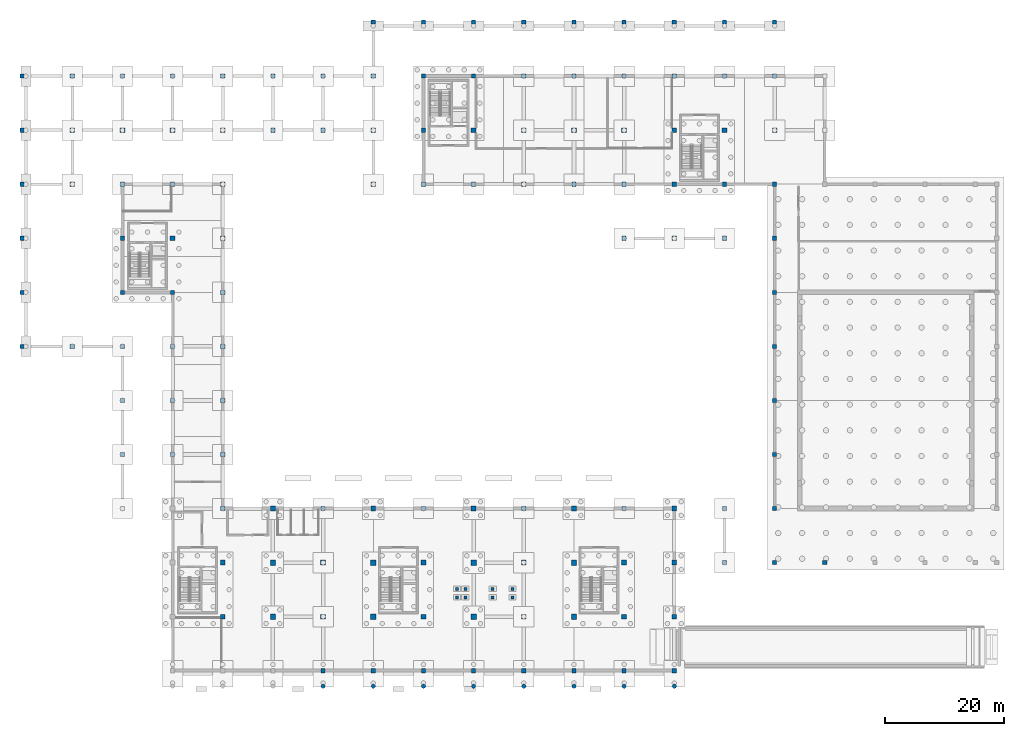
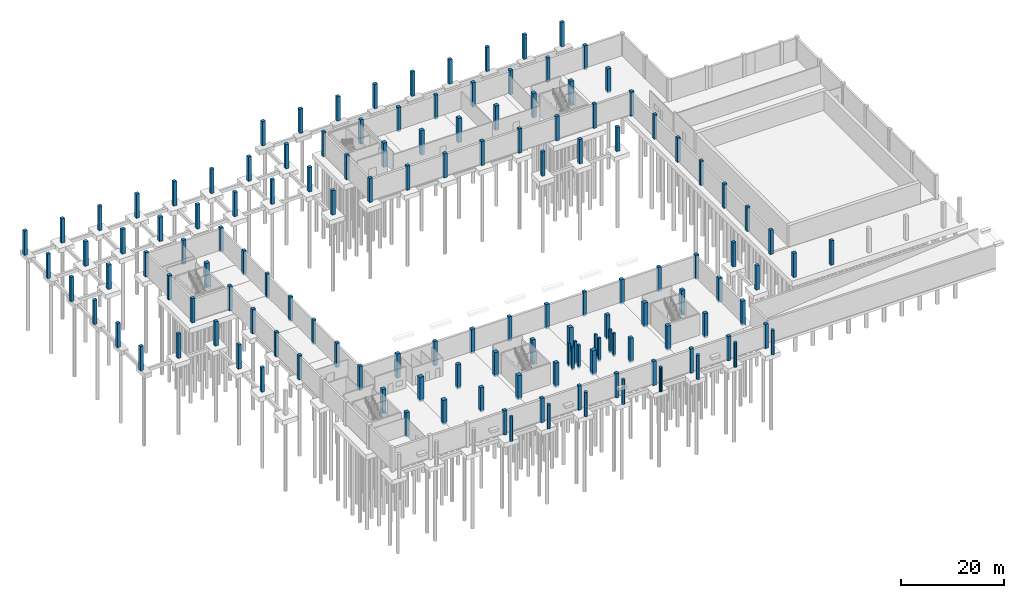
# One storey, part 5 of 18: 141 columns.
"""IFC4 building model written with IfcOpenShell, lengths in metres."""

from ifc_helpers import new_model, si_unit, direction, frame, origin, origin_2d, place, context, subcontext, project, spatial, rectangle, circle, extrude, material, material_profile, profile_set, type_object, element, save


model = new_model("IFC4")

# Units and contexts
model_context = context("Model", 3, precision=1e-05, world=origin(), true_north=direction((0.0, 1.0)))
body_context = subcontext(model_context, "Body", "Model", "MODEL_VIEW")
ifc_project = project(units=[si_unit("LENGTHUNIT", "METRE"), si_unit("AREAUNIT", "SQUARE_METRE"), si_unit("VOLUMEUNIT", "CUBIC_METRE"), si_unit("PLANEANGLEUNIT", "RADIAN"), si_unit("MASSUNIT", "GRAM", prefix="KILO")], contexts=[model_context])

# Site, building, storey
site_placement = place(None, origin())
site = spatial("IfcSite", under=ifc_project, at=site_placement, CompositionType="ELEMENT")
building_placement = place(site_placement, origin())
building = spatial("IfcBuilding", under=site, at=building_placement, Name="Khurvash Pelagic Aquarium", CompositionType="ELEMENT")
storey_placement = place(building_placement, frame((0.0, 0.0, -5.39990234375)))
storey = spatial("IfcBuildingStorey", under=building, at=storey_placement, Name="B1", CompositionType="ELEMENT", Elevation=-5.39990234375)

# Columns
ifc_material_1 = material(Name="Concrete C40/50", Category="concrete")
ifc_material_profile_1 = material_profile(ifc_material_1, rectangle(XDim=0.89990234375, YDim=0.89990234375, at=origin_2d()), Name="RC900X900")
ifc_profile_set_1 = profile_set([ifc_material_profile_1], Name="Concrete C40/50")
column_type_1 = type_object("IfcColumnType", Name="C-01", PredefinedType="COLUMN", material=ifc_profile_set_1)
for number, where, z_axis, x_axis, name in (
    (1, (42.0, 11.64990234375, -0.400146484375), (0.0, 0.0, 1.0), (1.0, 0.0, 0.0), "B1 Column C-01 at 6/C"),
    (2, (42.0, 20.699951171875, -0.400146484375), (0.0, 0.0, 1.0), (1.0, 0.0, 0.0), "B1 Column C-01 at 6/D"),
    (3, (58.800048828125, 11.64990234375, -0.400146484375), (0.0, 0.0, 1.0), (1.0, 0.0, 0.0), "B1 Column C-01 at 8/C"),
    (4, (58.800048828125, 20.699951171875, -0.400146484375), (0.0, 0.0, 1.0), (1.0, 0.0, 0.0), "B1 Column C-01 at 8/D"),
    (5, (75.60009765625, 11.64990234375, -0.400146484375), (0.0, 0.0, 1.0), (1.0, 0.0, 0.0), "B1 Column C-01 at 10/C"),
    (6, (75.60009765625, 20.699951171875, -0.400146484375), (0.0, 0.0, 1.0), (1.0, 0.0, 0.0), "B1 Column C-01 at 10/D"),
    (7, (92.39990234375, 11.64990234375, -0.400146484375), (0.0, 0.0, 1.0), (1.0, 0.0, 0.0), "B1 Column C-01 at 12/C"),
    (8, (92.39990234375, 20.699951171875, -0.400146484375), (0.0, 0.0, 1.0), (1.0, 0.0, 0.0), "B1 Column C-01 at 12/D"),
):
    element("IfcColumn", number, at=place(storey_placement, frame(where, z_axis=z_axis, x_axis=x_axis)), inside=storey, type_object=column_type_1, Name=name, PredefinedType="COLUMN", context=body_context, shape_type="SweptSolid", body=[
        extrude(rectangle(XDim=0.89990234375, YDim=0.89990234375, at=origin_2d()), origin(), (0.0, 0.0, 1.0), 5.800048828125),
    ])
ifc_material_profile_2 = material_profile(ifc_material_1, rectangle(XDim=0.800048828125, YDim=0.800048828125, at=origin_2d()), Name="RC800X800")
ifc_profile_set_2 = profile_set([ifc_material_profile_2], Name="Concrete C40/50")
column_type_2 = type_object("IfcColumnType", Name="C-02", PredefinedType="COLUMN", material=ifc_profile_set_2)
for number, where, z_axis, x_axis, name in (
    (9, (25.199951171875, 75.0, -0.400146484375), (0.0, 0.0, 1.0), (1.0, 0.0, 0.0), "B1 Column C-02 at 4/K"),
    (10, (33.60009765625, 11.64990234375, -0.400146484375), (0.0, 0.0, 1.0), (1.0, 0.0, 0.0), "B1 Column C-02 at 5/C"),
    (11, (33.60009765625, 20.699951171875, -0.400146484375), (0.0, 0.0, 1.0), (1.0, 0.0, 0.0), "B1 Column C-02 at 5/D"),
    (12, (50.39990234375, 11.64990234375, -0.400146484375), (0.0, 0.0, 1.0), (1.0, 0.0, 0.0), "B1 Column C-02 at 7/C"),
    (13, (50.39990234375, 20.699951171875, -0.400146484375), (0.0, 0.0, 1.0), (1.0, 0.0, 0.0), "B1 Column C-02 at 7/D"),
    (14, (67.199951171875, 11.64990234375, -0.400146484375), (0.0, 0.0, 1.0), (1.0, 0.0, 0.0), "B1 Column C-02 at 9/C"),
    (15, (67.199951171875, 20.699951171875, -0.400146484375), (0.0, 0.0, 1.0), (1.0, 0.0, 0.0), "B1 Column C-02 at 9/D"),
    (16, (75.60009765625, 93.10009765625, -0.400146484375), (0.0, 0.0, 1.0), (1.0, 0.0, 0.0), "B1 Column C-02 at 10/M"),
    (17, (84.0, 11.64990234375, -0.400146484375), (0.0, 0.0, 1.0), (1.0, 0.0, 0.0), "B1 Column C-02 at 11/C"),
    (18, (84.0, 20.699951171875, -0.400146484375), (0.0, 0.0, 1.0), (1.0, 0.0, 0.0), "B1 Column C-02 at 11/D"),
    (19, (84.0, 93.10009765625, -0.400146484375), (0.0, 0.0, 1.0), (1.0, 0.0, 0.0), "B1 Column C-02 at 11/M"),
    (20, (92.39990234375, 93.10009765625, -0.400146484375), (0.0, 0.0, 1.0), (1.0, 0.0, 0.0), "B1 Column C-02 at 12/M"),
    (21, (100.800048828125, 11.64990234375, -0.400146484375), (0.0, 0.0, 1.0), (1.0, 0.0, 0.0), "B1 Column C-02 at 13/C"),
    (22, (100.800048828125, 20.699951171875, -0.400146484375), (0.0, 0.0, 1.0), (1.0, 0.0, 0.0), "B1 Column C-02 at 13/D"),
    (23, (100.800048828125, 93.10009765625, -0.400146484375), (0.0, 0.0, 1.0), (1.0, 0.0, 0.0), "B1 Column C-02 at 13/M"),
    (24, (109.199951171875, 93.10009765625, -0.400146484375), (0.0, 0.0, 1.0), (1.0, 0.0, 0.0), "B1 Column C-02 at 14/M"),
    (25, (117.60009765625, 93.10009765625, -0.400146484375), (0.0, 0.0, 1.0), (1.0, 0.0, 0.0), "B1 Column C-02 at 15/M"),
    (26, (126.0, 93.10009765625, -0.400146484375), (0.0, 0.0, 1.0), (1.0, 0.0, 0.0), "B1 Column C-02 at 16/M"),
    (27, (8.39990234375, 84.050048828125, -0.400146484375), (0.0, 0.0, 1.0), (1.0, 0.0, 0.0), "B1 Sub-Grade Pier Column C-02 at 2/L"),
    (28, (8.39990234375, 93.10009765625, -0.400146484375), (0.0, 0.0, 1.0), (1.0, 0.0, 0.0), "B1 Sub-Grade Pier Column C-02 at 2/M"),
    (29, (16.800048828125, 93.10009765625, -0.400146484375), (0.0, 0.0, 1.0), (1.0, 0.0, 0.0), "B1 Sub-Grade Pier Column C-02 at 3/M"),
    (30, (25.199951171875, 93.10009765625, -0.400146484375), (0.0, 0.0, 1.0), (1.0, 0.0, 0.0), "B1 Sub-Grade Pier Column C-02 at 4/M"),
):
    element("IfcColumn", number, at=place(storey_placement, frame(where, z_axis=z_axis, x_axis=x_axis)), inside=storey, type_object=column_type_2, Name=name, PredefinedType="COLUMN", context=body_context, shape_type="SweptSolid", body=[
        extrude(rectangle(XDim=0.800048828125, YDim=0.800048828125, at=origin_2d()), origin(), (0.0, 0.0, 1.0), 5.800048828125),
    ])
ifc_material_2 = material(Name="Concrete C35/45", Category="concrete")
ifc_material_profile_3 = material_profile(ifc_material_2, rectangle(XDim=0.5, YDim=0.5, at=origin_2d()), Name="RC500X500")
ifc_profile_set_3 = profile_set([ifc_material_profile_3], Name="Concrete C35/45")
column_type_3 = type_object("IfcColumnType", Name="C-05", PredefinedType="COLUMN", material=ifc_profile_set_3)
for number, where, z_axis, x_axis, name in (
    (31, (72.800048828125, 14.89990234375, -0.400146484375), (0.0, 0.0, 1.0), (1.0, 0.0, 0.0), "B1 Foyer Stair Support Column C-05"),
    (32, (72.800048828125, 16.300048828125, -0.400146484375), (0.0, 0.0, 1.0), (1.0, 0.0, 0.0), "B1 Foyer Stair Support Column C-05"),
    (33, (74.199951171875, 14.89990234375, -0.400146484375), (0.0, 0.0, 1.0), (1.0, 0.0, 0.0), "B1 Foyer Stair Support Column C-05"),
    (34, (74.199951171875, 16.300048828125, -0.400146484375), (0.0, 0.0, 1.0), (1.0, 0.0, 0.0), "B1 Foyer Stair Support Column C-05"),
    (35, (78.800048828125, 14.89990234375, -0.400146484375), (0.0, 0.0, 1.0), (1.0, 0.0, 0.0), "B1 Foyer Stair Support Column C-05"),
    (36, (78.800048828125, 16.300048828125, -0.400146484375), (0.0, 0.0, 1.0), (1.0, 0.0, 0.0), "B1 Foyer Stair Support Column C-05"),
    (37, (82.10009765625, 14.89990234375, -0.400146484375), (0.0, 0.0, 1.0), (1.0, 0.0, 0.0), "B1 Foyer Stair Support Column C-05"),
    (38, (82.10009765625, 16.300048828125, -0.400146484375), (0.0, 0.0, 1.0), (1.0, 0.0, 0.0), "B1 Foyer Stair Support Column C-05"),
):
    element("IfcColumn", number, at=place(storey_placement, frame(where, z_axis=z_axis, x_axis=x_axis)), inside=storey, type_object=column_type_3, Name=name, PredefinedType="COLUMN", context=body_context, shape_type="SweptSolid", body=[
        extrude(rectangle(XDim=0.5, YDim=0.5, at=origin_2d()), origin(), (0.0, 0.0, 1.0), 5.5),
    ])
ifc_material_profile_4 = material_profile(ifc_material_1, rectangle(XDim=0.800048828125, YDim=0.800048828125, at=origin_2d()), Name="RC800X800")
ifc_profile_set_4 = profile_set([ifc_material_profile_4], Name="Concrete C40/50")
column_type_4 = type_object("IfcColumnType", Name="C-06", PredefinedType="COLUMN", material=ifc_profile_set_4)
for number, where, z_axis, x_axis, name in (
    (39, (42.0, 29.75, -0.400146484375), (0.0, 0.0, 1.0), (1.0, 0.0, 0.0), "B1 Column C-06 at 6/E"),
    (40, (58.800048828125, 29.75, -0.400146484375), (0.0, 0.0, 1.0), (1.0, 0.0, 0.0), "B1 Column C-06 at 8/E"),
    (41, (75.60009765625, 29.75, -0.400146484375), (0.0, 0.0, 1.0), (1.0, 0.0, 0.0), "B1 Column C-06 at 10/E"),
    (42, (92.39990234375, 29.75, -0.400146484375), (0.0, 0.0, 1.0), (1.0, 0.0, 0.0), "B1 Column C-06 at 12/E"),
    (43, (109.199951171875, 11.64990234375, -0.400146484375), (0.0, 0.0, 1.0), (1.0, 0.0, 0.0), "B1 Column C-06 at 14/C"),
    (44, (109.199951171875, 20.699951171875, -0.400146484375), (0.0, 0.0, 1.0), (1.0, 0.0, 0.0), "B1 Column C-06 at 14/D"),
    (45, (109.199951171875, 29.75, -0.400146484375), (0.0, 0.0, 1.0), (1.0, 0.0, 0.0), "B1 Column C-06 at 14/E"),
):
    element("IfcColumn", number, at=place(storey_placement, frame(where, z_axis=z_axis, x_axis=x_axis)), inside=storey, type_object=column_type_4, Name=name, PredefinedType="COLUMN", context=body_context, shape_type="SweptSolid", body=[
        extrude(rectangle(XDim=0.800048828125, YDim=0.800048828125, at=origin_2d()), origin(), (0.0, 0.0, 1.0), 5.800048828125),
    ])
ifc_material_profile_5 = material_profile(ifc_material_1, rectangle(XDim=0.699951171875, YDim=0.699951171875, at=origin_2d()), Name="RC700X700")
ifc_profile_set_5 = profile_set([ifc_material_profile_5], Name="Concrete C40/50")
column_type_5 = type_object("IfcColumnType", Name="C-07", PredefinedType="COLUMN", material=ifc_profile_set_5)
for number, where, z_axis, x_axis, name in (
    (46, (16.800048828125, 65.949951171875, -0.400146484375), (0.0, 0.0, 1.0), (1.0, 0.0, 0.0), "B1 Column C-07 at 3/J"),
    (47, (16.800048828125, 75.0, -0.400146484375), (0.0, 0.0, 1.0), (1.0, 0.0, 0.0), "B1 Column C-07 at 3/K"),
    (48, (16.800048828125, 84.050048828125, -0.400146484375), (0.0, 0.0, 1.0), (1.0, 0.0, 0.0), "B1 Column C-07 at 3/L"),
    (49, (25.199951171875, 38.800048828125, -0.400146484375), (0.0, 0.0, 1.0), (1.0, 0.0, 0.0), "B1 Column C-07 at 4/F"),
    (50, (25.199951171875, 47.85009765625, -0.400146484375), (0.0, 0.0, 1.0), (1.0, 0.0, 0.0), "B1 Column C-07 at 4/G"),
    (51, (25.199951171875, 56.89990234375, -0.400146484375), (0.0, 0.0, 1.0), (1.0, 0.0, 0.0), "B1 Column C-07 at 4/H"),
    (52, (25.199951171875, 65.949951171875, -0.400146484375), (0.0, 0.0, 1.0), (1.0, 0.0, 0.0), "B1 Column C-07 at 4/J"),
    (53, (25.199951171875, 84.050048828125, -0.400146484375), (0.0, 0.0, 1.0), (1.0, 0.0, 0.0), "B1 Column C-07 at 4/L"),
    (54, (33.60009765625, 29.75, -0.400146484375), (0.0, 0.0, 1.0), (1.0, 0.0, 0.0), "B1 Column C-07 at 5/E"),
    (55, (33.60009765625, 38.800048828125, -0.400146484375), (0.0, 0.0, 1.0), (1.0, 0.0, 0.0), "B1 Column C-07 at 5/F"),
    (56, (33.60009765625, 47.85009765625, -0.400146484375), (0.0, 0.0, 1.0), (1.0, 0.0, 0.0), "B1 Column C-07 at 5/G"),
    (57, (33.60009765625, 56.89990234375, -0.400146484375), (0.0, 0.0, 1.0), (1.0, 0.0, 0.0), "B1 Column C-07 at 5/H"),
    (58, (33.60009765625, 65.949951171875, -0.400146484375), (0.0, 0.0, 1.0), (1.0, 0.0, 0.0), "B1 Column C-07 at 5/J"),
    (59, (33.60009765625, 75.0, -0.400146484375), (0.0, 0.0, 1.0), (1.0, 0.0, 0.0), "B1 Column C-07 at 5/K"),
    (60, (33.60009765625, 84.050048828125, -0.400146484375), (0.0, 0.0, 1.0), (1.0, 0.0, 0.0), "B1 Column C-07 at 5/L"),
    (61, (50.39990234375, 2.60009765625, -0.400146484375), (0.0, 0.0, 1.0), (1.0, 0.0, 0.0), "B1 Column C-07 at 7/B"),
    (62, (50.39990234375, 29.75, -0.400146484375), (0.0, 0.0, 1.0), (1.0, 0.0, 0.0), "B1 Column C-07 at 7/E"),
    (63, (58.800048828125, 2.60009765625, -0.400146484375), (0.0, 0.0, 1.0), (1.0, 0.0, 0.0), "B1 Column C-07 at 8/B"),
    (64, (67.199951171875, 2.60009765625, -0.400146484375), (0.0, 0.0, 1.0), (1.0, 0.0, 0.0), "B1 Column C-07 at 9/B"),
    (65, (67.199951171875, 29.75, -0.400146484375), (0.0, 0.0, 1.0), (1.0, 0.0, 0.0), "B1 Column C-07 at 9/E"),
    (66, (67.199951171875, 84.050048828125, -0.400146484375), (0.0, 0.0, 1.0), (1.0, 0.0, 0.0), "B1 Column C-07 at 9/L"),
    (67, (67.199951171875, 93.10009765625, -0.400146484375), (0.0, 0.0, 1.0), (1.0, 0.0, 0.0), "B1 Column C-07 at 9/M"),
    (68, (67.199951171875, 102.14990234375, -0.400146484375), (0.0, 0.0, 1.0), (1.0, 0.0, 0.0), "B1 Column C-07 at 9/N"),
    (69, (75.60009765625, 2.60009765625, -0.400146484375), (0.0, 0.0, 1.0), (1.0, 0.0, 0.0), "B1 Column C-07 at 10/B"),
    (70, (75.60009765625, 84.050048828125, -0.400146484375), (0.0, 0.0, 1.0), (1.0, 0.0, 0.0), "B1 Column C-07 at 10/L"),
    (71, (75.60009765625, 102.14990234375, -0.400146484375), (0.0, 0.0, 1.0), (1.0, 0.0, 0.0), "B1 Column C-07 at 10/N"),
    (72, (84.0, 2.60009765625, -0.400146484375), (0.0, 0.0, 1.0), (1.0, 0.0, 0.0), "B1 Column C-07 at 11/B"),
    (73, (84.0, 29.75, -0.400146484375), (0.0, 0.0, 1.0), (1.0, 0.0, 0.0), "B1 Column C-07 at 11/E"),
    (74, (84.0, 84.050048828125, -0.400146484375), (0.0, 0.0, 1.0), (1.0, 0.0, 0.0), "B1 Column C-07 at 11/L"),
    (75, (84.0, 102.14990234375, -0.400146484375), (0.0, 0.0, 1.0), (1.0, 0.0, 0.0), "B1 Column C-07 at 11/N"),
    (76, (92.39990234375, 2.60009765625, -0.400146484375), (0.0, 0.0, 1.0), (1.0, 0.0, 0.0), "B1 Column C-07 at 12/B"),
    (77, (92.39990234375, 84.050048828125, -0.400146484375), (0.0, 0.0, 1.0), (1.0, 0.0, 0.0), "B1 Column C-07 at 12/L"),
    (78, (92.39990234375, 102.14990234375, -0.400146484375), (0.0, 0.0, 1.0), (1.0, 0.0, 0.0), "B1 Column C-07 at 12/N"),
    (79, (100.800048828125, 2.60009765625, -0.400146484375), (0.0, 0.0, 1.0), (1.0, 0.0, 0.0), "B1 Column C-07 at 13/B"),
    (80, (100.800048828125, 29.75, -0.400146484375), (0.0, 0.0, 1.0), (1.0, 0.0, 0.0), "B1 Column C-07 at 13/E"),
    (81, (100.800048828125, 84.050048828125, -0.400146484375), (0.0, 0.0, 1.0), (1.0, 0.0, 0.0), "B1 Column C-07 at 13/L"),
    (82, (100.800048828125, 102.14990234375, -0.400146484375), (0.0, 0.0, 1.0), (1.0, 0.0, 0.0), "B1 Column C-07 at 13/N"),
    (83, (109.199951171875, 2.60009765625, -0.400146484375), (0.0, 0.0, 1.0), (1.0, 0.0, 0.0), "B1 Column C-07 at 14/B"),
    (84, (109.199951171875, 84.050048828125, -0.400146484375), (0.0, 0.0, 1.0), (1.0, 0.0, 0.0), "B1 Column C-07 at 14/L"),
    (85, (109.199951171875, 102.14990234375, -0.400146484375), (0.0, 0.0, 1.0), (1.0, 0.0, 0.0), "B1 Column C-07 at 14/N"),
    (86, (117.60009765625, 84.050048828125, -0.400146484375), (0.0, 0.0, 1.0), (1.0, 0.0, 0.0), "B1 Column C-07 at 15/L"),
    (87, (117.60009765625, 102.14990234375, -0.400146484375), (0.0, 0.0, 1.0), (1.0, 0.0, 0.0), "B1 Column C-07 at 15/N"),
    (88, (126.0, 29.75, -0.400146484375), (0.0, 0.0, 1.0), (1.0, 0.0, 0.0), "B1 Column C-07 at 16/E"),
    (89, (126.0, 38.800048828125, -0.400146484375), (0.0, 0.0, 1.0), (1.0, 0.0, 0.0), "B1 Column C-07 at 16/F"),
    (90, (126.0, 47.85009765625, -0.400146484375), (0.0, 0.0, 1.0), (1.0, 0.0, 0.0), "B1 Column C-07 at 16/G"),
    (91, (126.0, 56.89990234375, -0.400146484375), (0.0, 0.0, 1.0), (1.0, 0.0, 0.0), "B1 Column C-07 at 16/H"),
    (92, (126.0, 65.949951171875, -0.400146484375), (0.0, 0.0, 1.0), (1.0, 0.0, 0.0), "B1 Column C-07 at 16/J"),
    (93, (126.0, 75.0, -0.400146484375), (0.0, 0.0, 1.0), (1.0, 0.0, 0.0), "B1 Column C-07 at 16/K"),
    (94, (126.0, 84.050048828125, -0.400146484375), (0.0, 0.0, 1.0), (1.0, 0.0, 0.0), "B1 Column C-07 at 16/L"),
    (95, (126.0, 102.14990234375, -0.400146484375), (0.0, 0.0, 1.0), (1.0, 0.0, 0.0), "B1 Column C-07 at 16/N"),
    (96, (0.0, 56.89990234375, -0.400146484375), (0.0, 0.0, 1.0), (1.0, 0.0, 0.0), "B1 Sub-Grade Pier Column C-07 at 1/H"),
    (97, (0.0, 65.949951171875, -0.400146484375), (0.0, 0.0, 1.0), (1.0, 0.0, 0.0), "B1 Sub-Grade Pier Column C-07 at 1/J"),
    (98, (0.0, 75.0, -0.400146484375), (0.0, 0.0, 1.0), (1.0, 0.0, 0.0), "B1 Sub-Grade Pier Column C-07 at 1/K"),
    (99, (0.0, 84.050048828125, -0.400146484375), (0.0, 0.0, 1.0), (1.0, 0.0, 0.0), "B1 Sub-Grade Pier Column C-07 at 1/L"),
    (100, (0.0, 93.10009765625, -0.400146484375), (0.0, 0.0, 1.0), (1.0, 0.0, 0.0), "B1 Sub-Grade Pier Column C-07 at 1/M"),
    (101, (0.0, 102.14990234375, -0.400146484375), (0.0, 0.0, 1.0), (1.0, 0.0, 0.0), "B1 Sub-Grade Pier Column C-07 at 1/N"),
    (102, (8.39990234375, 56.89990234375, -0.400146484375), (0.0, 0.0, 1.0), (1.0, 0.0, 0.0), "B1 Sub-Grade Pier Column C-07 at 2/H"),
    (103, (8.39990234375, 102.14990234375, -0.400146484375), (0.0, 0.0, 1.0), (1.0, 0.0, 0.0), "B1 Sub-Grade Pier Column C-07 at 2/N"),
    (104, (16.800048828125, 38.800048828125, -0.400146484375), (0.0, 0.0, 1.0), (1.0, 0.0, 0.0), "B1 Sub-Grade Pier Column C-07 at 3/F"),
    (105, (16.800048828125, 47.85009765625, -0.400146484375), (0.0, 0.0, 1.0), (1.0, 0.0, 0.0), "B1 Sub-Grade Pier Column C-07 at 3/G"),
    (106, (16.800048828125, 56.89990234375, -0.400146484375), (0.0, 0.0, 1.0), (1.0, 0.0, 0.0), "B1 Sub-Grade Pier Column C-07 at 3/H"),
    (107, (16.800048828125, 102.14990234375, -0.400146484375), (0.0, 0.0, 1.0), (1.0, 0.0, 0.0), "B1 Sub-Grade Pier Column C-07 at 3/N"),
    (108, (25.199951171875, 102.14990234375, -0.400146484375), (0.0, 0.0, 1.0), (1.0, 0.0, 0.0), "B1 Sub-Grade Pier Column C-07 at 4/N"),
    (109, (33.60009765625, 93.10009765625, -0.400146484375), (0.0, 0.0, 1.0), (1.0, 0.0, 0.0), "B1 Sub-Grade Pier Column C-07 at 5/M"),
    (110, (33.60009765625, 102.14990234375, -0.400146484375), (0.0, 0.0, 1.0), (1.0, 0.0, 0.0), "B1 Sub-Grade Pier Column C-07 at 5/N"),
    (111, (42.0, 93.10009765625, -0.400146484375), (0.0, 0.0, 1.0), (1.0, 0.0, 0.0), "B1 Sub-Grade Pier Column C-07 at 6/M"),
    (112, (42.0, 102.14990234375, -0.400146484375), (0.0, 0.0, 1.0), (1.0, 0.0, 0.0), "B1 Sub-Grade Pier Column C-07 at 6/N"),
    (113, (50.39990234375, 93.10009765625, -0.400146484375), (0.0, 0.0, 1.0), (1.0, 0.0, 0.0), "B1 Sub-Grade Pier Column C-07 at 7/M"),
    (114, (50.39990234375, 102.14990234375, -0.400146484375), (0.0, 0.0, 1.0), (1.0, 0.0, 0.0), "B1 Sub-Grade Pier Column C-07 at 7/N"),
    (115, (58.800048828125, 84.050048828125, -0.400146484375), (0.0, 0.0, 1.0), (1.0, 0.0, 0.0), "B1 Sub-Grade Pier Column C-07 at 8/L"),
    (116, (58.800048828125, 93.10009765625, -0.400146484375), (0.0, 0.0, 1.0), (1.0, 0.0, 0.0), "B1 Sub-Grade Pier Column C-07 at 8/M"),
    (117, (58.800048828125, 102.14990234375, -0.400146484375), (0.0, 0.0, 1.0), (1.0, 0.0, 0.0), "B1 Sub-Grade Pier Column C-07 at 8/N"),
    (118, (58.800048828125, 111.199951171875, -0.400146484375), (0.0, 0.0, 1.0), (1.0, 0.0, 0.0), "B1 Sub-Grade Pier Column C-07 at 8/P"),
    (119, (67.199951171875, 111.199951171875, -0.400146484375), (0.0, 0.0, 1.0), (1.0, 0.0, 0.0), "B1 Sub-Grade Pier Column C-07 at 9/P"),
    (120, (75.60009765625, 111.199951171875, -0.400146484375), (0.0, 0.0, 1.0), (1.0, 0.0, 0.0), "B1 Sub-Grade Pier Column C-07 at 10/P"),
    (121, (84.0, 111.199951171875, -0.400146484375), (0.0, 0.0, 1.0), (1.0, 0.0, 0.0), "B1 Sub-Grade Pier Column C-07 at 11/P"),
    (122, (92.39990234375, 111.199951171875, -0.400146484375), (0.0, 0.0, 1.0), (1.0, 0.0, 0.0), "B1 Sub-Grade Pier Column C-07 at 12/P"),
    (123, (100.800048828125, 75.0, -0.400146484375), (0.0, 0.0, 1.0), (1.0, 0.0, 0.0), "B1 Sub-Grade Pier Column C-07 at 13/K"),
    (124, (100.800048828125, 111.199951171875, -0.400146484375), (0.0, 0.0, 1.0), (1.0, 0.0, 0.0), "B1 Sub-Grade Pier Column C-07 at 13/P"),
    (125, (109.199951171875, 75.0, -0.400146484375), (0.0, 0.0, 1.0), (1.0, 0.0, 0.0), "B1 Sub-Grade Pier Column C-07 at 14/K"),
    (126, (109.199951171875, 111.199951171875, -0.400146484375), (0.0, 0.0, 1.0), (1.0, 0.0, 0.0), "B1 Sub-Grade Pier Column C-07 at 14/P"),
    (127, (117.60009765625, 20.699951171875, -0.400146484375), (0.0, 0.0, 1.0), (1.0, 0.0, 0.0), "B1 Sub-Grade Pier Column C-07 at 15/D"),
    (128, (117.60009765625, 29.75, -0.400146484375), (0.0, 0.0, 1.0), (1.0, 0.0, 0.0), "B1 Sub-Grade Pier Column C-07 at 15/E"),
    (129, (117.60009765625, 75.0, -0.400146484375), (0.0, 0.0, 1.0), (1.0, 0.0, 0.0), "B1 Sub-Grade Pier Column C-07 at 15/K"),
    (130, (117.60009765625, 111.199951171875, -0.400146484375), (0.0, 0.0, 1.0), (1.0, 0.0, 0.0), "B1 Sub-Grade Pier Column C-07 at 15/P"),
    (131, (126.0, 20.699951171875, -0.400146484375), (0.0, 0.0, 1.0), (1.0, 0.0, 0.0), "B1 Sub-Grade Pier Column C-07 at 16/D"),
    (132, (126.0, 111.199951171875, -0.400146484375), (0.0, 0.0, 1.0), (1.0, 0.0, 0.0), "B1 Sub-Grade Pier Column C-07 at 16/P"),
    (133, (134.39990234375, 20.699951171875, -0.400146484375), (0.0, 0.0, 1.0), (1.0, 0.0, 0.0), "B1 Sub-Grade Pier Column C-07 at 17/D"),
):
    element("IfcColumn", number, at=place(storey_placement, frame(where, z_axis=z_axis, x_axis=x_axis)), inside=storey, type_object=column_type_5, Name=name, PredefinedType="COLUMN", context=body_context, shape_type="SweptSolid", body=[
        extrude(rectangle(XDim=0.699951171875, YDim=0.699951171875, at=origin_2d()), origin(), (0.0, 0.0, 1.0), 5.800048828125),
    ])
ifc_material_profile_6 = material_profile(ifc_material_1, circle(Radius=0.35009765625, at=origin_2d()), Name="RC700D")
ifc_profile_set_6 = profile_set([ifc_material_profile_6], Name="Concrete C40/50")
column_type_6 = type_object("IfcColumnType", Name="C-09", PredefinedType="COLUMN", material=ifc_profile_set_6)
for number, where, z_axis, x_axis, name in (
    (134, (50.39990234375, 0.0, -0.400146484375), (0.0, 0.0, 1.0), (1.0, 0.0, 0.0), "B1 Sub-Grade Pier Column C-09 at 7/A"),
    (135, (58.800048828125, 0.0, -0.400146484375), (0.0, 0.0, 1.0), (1.0, 0.0, 0.0), "B1 Sub-Grade Pier Column C-09 at 8/A"),
    (136, (67.199951171875, 0.0, -0.400146484375), (0.0, 0.0, 1.0), (1.0, 0.0, 0.0), "B1 Sub-Grade Pier Column C-09 at 9/A"),
    (137, (75.60009765625, 0.0, -0.400146484375), (0.0, 0.0, 1.0), (1.0, 0.0, 0.0), "B1 Sub-Grade Pier Column C-09 at 10/A"),
    (138, (84.0, 0.0, -0.400146484375), (0.0, 0.0, 1.0), (1.0, 0.0, 0.0), "B1 Sub-Grade Pier Column C-09 at 11/A"),
    (139, (92.39990234375, 0.0, -0.400146484375), (0.0, 0.0, 1.0), (1.0, 0.0, 0.0), "B1 Sub-Grade Pier Column C-09 at 12/A"),
    (140, (100.800048828125, 0.0, -0.400146484375), (0.0, 0.0, 1.0), (1.0, 0.0, 0.0), "B1 Sub-Grade Pier Column C-09 at 13/A"),
    (141, (109.199951171875, 0.0, -0.400146484375), (0.0, 0.0, 1.0), (1.0, 0.0, 0.0), "B1 Sub-Grade Pier Column C-09 at 14/A"),
):
    element("IfcColumn", number, at=place(storey_placement, frame(where, z_axis=z_axis, x_axis=x_axis)), inside=storey, type_object=column_type_6, Name=name, PredefinedType="COLUMN", context=body_context, shape_type="SweptSolid", body=[
        extrude(circle(Radius=0.35009765625, at=origin_2d()), origin(), (0.0, 0.0, 1.0), 5.800048828125),
    ])

save(model, "model.ifc")
